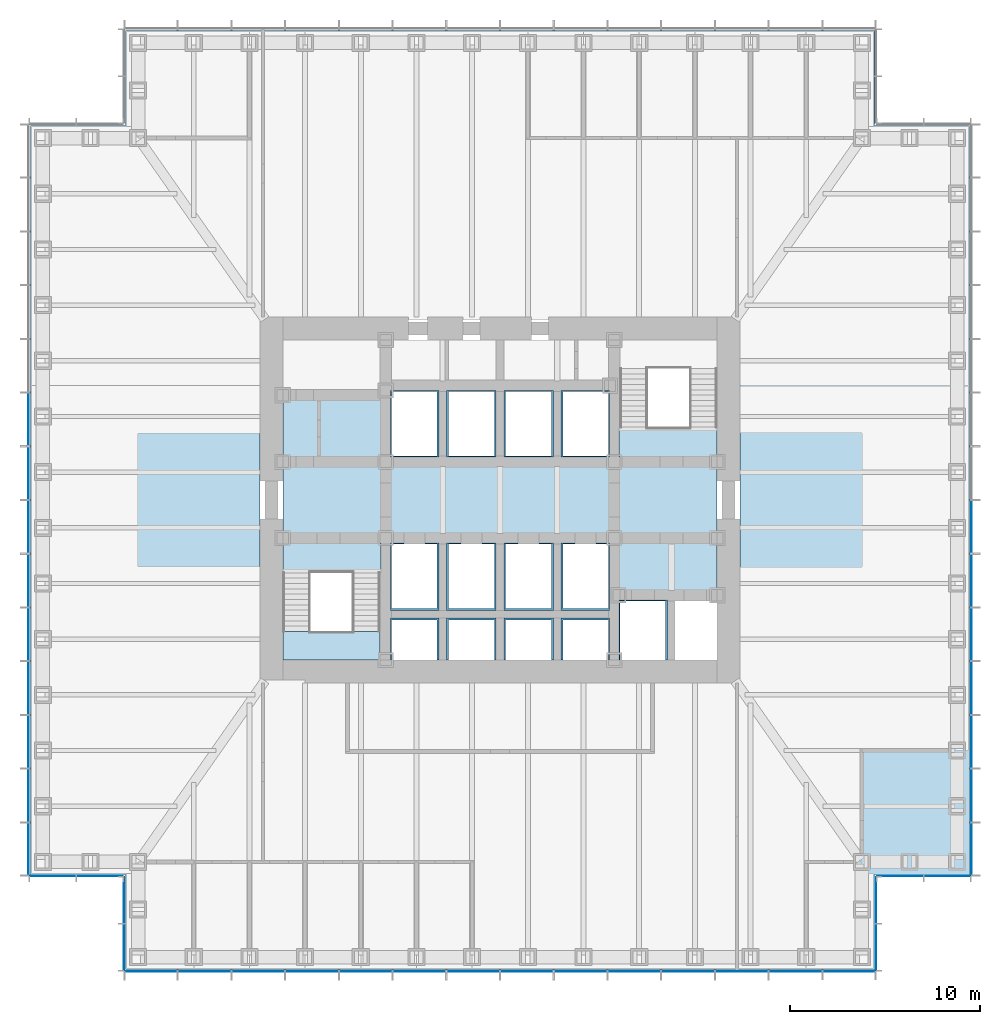
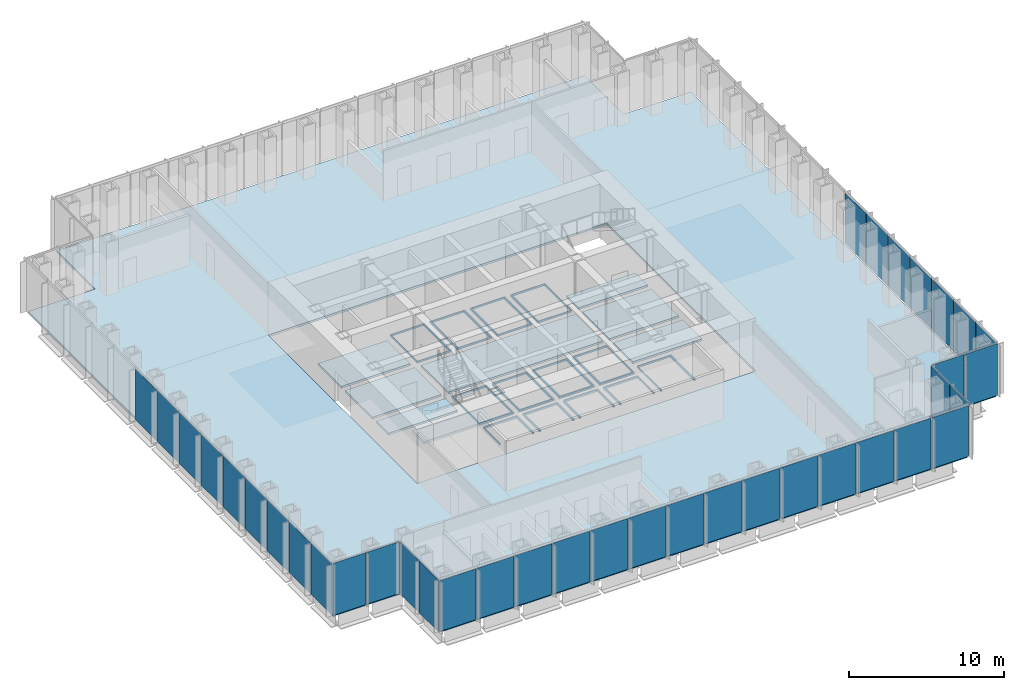
# One storey, part 7 of 17: 38 plates, 22 slabs, 8 elements without a shape of their own.
"""IFC4 building model written with IfcOpenShell, lengths in metres."""

from ifc_helpers import new_model, si_unit, direction, frame, origin, origin_2d, place, context, subcontext, project, spatial, polyline, rectangle, outline, extrude, material, layer, layer_set, type_object, element, aggregate, save


model = new_model("IFC4")

# Units and contexts
model_context = context("Model", 3, precision=1e-05, world=origin(), true_north=direction((0.0, 1.0)))
body_context = subcontext(model_context, "Body", "Model", "MODEL_VIEW")
ifc_project = project(units=[si_unit("LENGTHUNIT", "METRE"), si_unit("AREAUNIT", "SQUARE_METRE"), si_unit("VOLUMEUNIT", "CUBIC_METRE"), si_unit("PLANEANGLEUNIT", "RADIAN"), si_unit("MASSUNIT", "GRAM", prefix="KILO")], contexts=[model_context])

# Site, building, storey
site_placement = place(None, origin())
site = spatial("IfcSite", under=ifc_project, at=site_placement, CompositionType="ELEMENT")
building_placement = place(site_placement, origin())
building = spatial("IfcBuilding", under=site, at=building_placement, Name="Daluyong Arena Tower", CompositionType="ELEMENT")
storey_placement = place(building_placement, frame((0.0, 0.0, 97.89990234375)))
storey = spatial("IfcBuildingStorey", under=building, at=storey_placement, Name="L21", CompositionType="ELEMENT", Elevation=97.89990234375)

# Curtain wall, plates
ifc_material_1 = material(Name="Bronze anodised aluminium and glass", Category="aluminium")
curtain_wall_type_1 = type_object("IfcCurtainWallType", Name="Curtain wall CW1", PredefinedType="USERDEFINED", material=ifc_material_1)
curtain_wall_1_placement = place(storey_placement, origin())
curtain_wall_1 = element("IfcCurtainWall", 1, at=curtain_wall_1_placement, inside=storey, type_object=curtain_wall_type_1, Name="curtain wall L21 S", ObjectType="UNITISED CURTAIN WALL", PredefinedType="USERDEFINED")
ifc_material_2 = material(Name="Tinted double glazed unit", Category="glass")
ifc_layer_1 = layer(ifc_material_2, 0.031982421875)
ifc_layer_set_1 = layer_set([ifc_layer_1], Name="Tinted double glazed unit")
plate_type_1 = type_object("IfcPlateType", Name="CW1 panel 32", PredefinedType="CURTAIN_PANEL", material=ifc_layer_set_1)
plate_1_placement = place(storey_placement, frame((37.6806640625, 55.25, 0.0), z_axis=(0.0, 0.0, 1.0), x_axis=(1.0, 0.0, 0.0)))
plate_1 = element("IfcPlate", 2, at=plate_1_placement, type_object=plate_type_1, Name="curtain wall L21 S panel 1", PredefinedType="CURTAIN_PANEL", context=body_context, shape_type="SweptSolid", body=[
    extrude(rectangle(XDim=2.701416015625, YDim=0.031982421875, at=origin_2d()), origin(), (0.0, 0.0, 1.0), 4.0),
])
plate_2_placement = place(storey_placement, frame((40.482177734375, 55.25, 0.0), z_axis=(0.0, 0.0, 1.0), x_axis=(1.0, 0.0, 0.0)))
plate_2 = element("IfcPlate", 3, at=plate_2_placement, type_object=plate_type_1, Name="curtain wall L21 S panel 2", PredefinedType="CURTAIN_PANEL", context=body_context, shape_type="SweptSolid", body=[
    extrude(rectangle(XDim=2.741455078125, YDim=0.031982421875, at=origin_2d()), origin(), (0.0, 0.0, 1.0), 4.0),
])
plate_3_placement = place(storey_placement, frame((43.303466796875, 55.25, 0.0), z_axis=(0.0, 0.0, 1.0), x_axis=(1.0, 0.0, 0.0)))
plate_3 = element("IfcPlate", 4, at=plate_3_placement, type_object=plate_type_1, Name="curtain wall L21 S panel 3", PredefinedType="CURTAIN_PANEL", context=body_context, shape_type="SweptSolid", body=[
    extrude(rectangle(XDim=2.741455078125, YDim=0.031982421875, at=origin_2d()), origin(), (0.0, 0.0, 1.0), 4.0),
])
plate_4_placement = place(storey_placement, frame((46.125, 55.25, 0.0), z_axis=(0.0, 0.0, 1.0), x_axis=(1.0, 0.0, 0.0)))
plate_4 = element("IfcPlate", 5, at=plate_4_placement, type_object=plate_type_1, Name="curtain wall L21 S panel 4", PredefinedType="CURTAIN_PANEL", context=body_context, shape_type="SweptSolid", body=[
    extrude(rectangle(XDim=2.741455078125, YDim=0.031982421875, at=origin_2d()), origin(), (0.0, 0.0, 1.0), 4.0),
])
plate_5_placement = place(storey_placement, frame((48.946533203125, 55.25, 0.0), z_axis=(0.0, 0.0, 1.0), x_axis=(1.0, 0.0, 0.0)))
plate_5 = element("IfcPlate", 6, at=plate_5_placement, type_object=plate_type_1, Name="curtain wall L21 S panel 5", PredefinedType="CURTAIN_PANEL", context=body_context, shape_type="SweptSolid", body=[
    extrude(rectangle(XDim=2.741455078125, YDim=0.031982421875, at=origin_2d()), origin(), (0.0, 0.0, 1.0), 4.0),
])
plate_6_placement = place(storey_placement, frame((51.767822265625, 55.25, 0.0), z_axis=(0.0, 0.0, 1.0), x_axis=(1.0, 0.0, 0.0)))
plate_6 = element("IfcPlate", 7, at=plate_6_placement, type_object=plate_type_1, Name="curtain wall L21 S panel 6", PredefinedType="CURTAIN_PANEL", context=body_context, shape_type="SweptSolid", body=[
    extrude(rectangle(XDim=2.741455078125, YDim=0.031982421875, at=origin_2d()), origin(), (0.0, 0.0, 1.0), 4.0),
])
plate_7_placement = place(storey_placement, frame((54.58935546875, 55.25, 0.0), z_axis=(0.0, 0.0, 1.0), x_axis=(1.0, 0.0, 0.0)))
plate_7 = element("IfcPlate", 8, at=plate_7_placement, type_object=plate_type_1, Name="curtain wall L21 S panel 7", PredefinedType="CURTAIN_PANEL", context=body_context, shape_type="SweptSolid", body=[
    extrude(rectangle(XDim=2.741455078125, YDim=0.031982421875, at=origin_2d()), origin(), (0.0, 0.0, 1.0), 4.0),
])
plate_8_placement = place(storey_placement, frame((57.41064453125, 55.25, 0.0), z_axis=(0.0, 0.0, 1.0), x_axis=(1.0, 0.0, 0.0)))
plate_8 = element("IfcPlate", 9, at=plate_8_placement, type_object=plate_type_1, Name="curtain wall L21 S panel 8", PredefinedType="CURTAIN_PANEL", context=body_context, shape_type="SweptSolid", body=[
    extrude(rectangle(XDim=2.741455078125, YDim=0.031982421875, at=origin_2d()), origin(), (0.0, 0.0, 1.0), 4.0),
])
plate_9_placement = place(storey_placement, frame((60.232177734375, 55.25, 0.0), z_axis=(0.0, 0.0, 1.0), x_axis=(1.0, 0.0, 0.0)))
plate_9 = element("IfcPlate", 10, at=plate_9_placement, type_object=plate_type_1, Name="curtain wall L21 S panel 9", PredefinedType="CURTAIN_PANEL", context=body_context, shape_type="SweptSolid", body=[
    extrude(rectangle(XDim=2.741455078125, YDim=0.031982421875, at=origin_2d()), origin(), (0.0, 0.0, 1.0), 4.0),
])
plate_10_placement = place(storey_placement, frame((63.053466796875, 55.25, 0.0), z_axis=(0.0, 0.0, 1.0), x_axis=(1.0, 0.0, 0.0)))
plate_10 = element("IfcPlate", 11, at=plate_10_placement, type_object=plate_type_1, Name="curtain wall L21 S panel 10", PredefinedType="CURTAIN_PANEL", context=body_context, shape_type="SweptSolid", body=[
    extrude(rectangle(XDim=2.741455078125, YDim=0.031982421875, at=origin_2d()), origin(), (0.0, 0.0, 1.0), 4.0),
])
plate_11_placement = place(storey_placement, frame((65.875, 55.25, 0.0), z_axis=(0.0, 0.0, 1.0), x_axis=(1.0, 0.0, 0.0)))
plate_11 = element("IfcPlate", 12, at=plate_11_placement, type_object=plate_type_1, Name="curtain wall L21 S panel 11", PredefinedType="CURTAIN_PANEL", context=body_context, shape_type="SweptSolid", body=[
    extrude(rectangle(XDim=2.741455078125, YDim=0.031982421875, at=origin_2d()), origin(), (0.0, 0.0, 1.0), 4.0),
])
plate_12_placement = place(storey_placement, frame((68.696533203125, 55.25, 0.0), z_axis=(0.0, 0.0, 1.0), x_axis=(1.0, 0.0, 0.0)))
plate_12 = element("IfcPlate", 13, at=plate_12_placement, type_object=plate_type_1, Name="curtain wall L21 S panel 12", PredefinedType="CURTAIN_PANEL", context=body_context, shape_type="SweptSolid", body=[
    extrude(rectangle(XDim=2.741455078125, YDim=0.031982421875, at=origin_2d()), origin(), (0.0, 0.0, 1.0), 4.0),
])
plate_13_placement = place(storey_placement, frame((71.517822265625, 55.25, 0.0), z_axis=(0.0, 0.0, 1.0), x_axis=(1.0, 0.0, 0.0)))
plate_13 = element("IfcPlate", 14, at=plate_13_placement, type_object=plate_type_1, Name="curtain wall L21 S panel 13", PredefinedType="CURTAIN_PANEL", context=body_context, shape_type="SweptSolid", body=[
    extrude(rectangle(XDim=2.741455078125, YDim=0.031982421875, at=origin_2d()), origin(), (0.0, 0.0, 1.0), 4.0),
])
plate_14_placement = place(storey_placement, frame((74.3193359375, 55.25, 0.0), z_axis=(0.0, 0.0, 1.0), x_axis=(1.0, 0.0, 0.0)))
plate_14 = element("IfcPlate", 15, at=plate_14_placement, type_object=plate_type_1, Name="curtain wall L21 S panel 14", PredefinedType="CURTAIN_PANEL", context=body_context, shape_type="SweptSolid", body=[
    extrude(rectangle(XDim=2.701416015625, YDim=0.031982421875, at=origin_2d()), origin(), (0.0, 0.0, 1.0), 4.0),
])
aggregate(curtain_wall_1, [plate_1, plate_2, plate_3, plate_4, plate_5, plate_6, plate_7, plate_8, plate_9, plate_10, plate_11, plate_12, plate_13, plate_14])

curtain_wall_2_placement = place(storey_placement, origin())
curtain_wall_2 = element("IfcCurtainWall", 16, at=curtain_wall_2_placement, inside=storey, type_object=curtain_wall_type_1, Name="curtain wall L21 E", ObjectType="UNITISED CURTAIN WALL", PredefinedType="USERDEFINED")
plate_15_placement = place(storey_placement, frame((80.75, 61.6806640625, 0.0), z_axis=(0.0, 0.0, 1.0), x_axis=(0.0, 1.0, 0.0)))
plate_15 = element("IfcPlate", 17, at=plate_15_placement, type_object=plate_type_1, Name="curtain wall L21 E panel 1", PredefinedType="CURTAIN_PANEL", context=body_context, shape_type="SweptSolid", body=[
    extrude(rectangle(XDim=2.701416015625, YDim=0.031982421875, at=origin_2d()), origin(), (0.0, 0.0, 1.0), 4.0),
])
plate_16_placement = place(storey_placement, frame((80.75, 64.482177734375, 0.0), z_axis=(0.0, 0.0, 1.0), x_axis=(0.0, 1.0, 0.0)))
plate_16 = element("IfcPlate", 18, at=plate_16_placement, type_object=plate_type_1, Name="curtain wall L21 E panel 2", PredefinedType="CURTAIN_PANEL", context=body_context, shape_type="SweptSolid", body=[
    extrude(rectangle(XDim=2.741455078125, YDim=0.031982421875, at=origin_2d()), origin(), (0.0, 0.0, 1.0), 4.0),
])
plate_17_placement = place(storey_placement, frame((80.75, 67.303466796875, 0.0), z_axis=(0.0, 0.0, 1.0), x_axis=(0.0, 1.0, 0.0)))
plate_17 = element("IfcPlate", 19, at=plate_17_placement, type_object=plate_type_1, Name="curtain wall L21 E panel 3", PredefinedType="CURTAIN_PANEL", context=body_context, shape_type="SweptSolid", body=[
    extrude(rectangle(XDim=2.741455078125, YDim=0.031982421875, at=origin_2d()), origin(), (0.0, 0.0, 1.0), 4.0),
])
plate_18_placement = place(storey_placement, frame((80.75, 70.125, 0.0), z_axis=(0.0, 0.0, 1.0), x_axis=(0.0, 1.0, 0.0)))
plate_18 = element("IfcPlate", 20, at=plate_18_placement, type_object=plate_type_1, Name="curtain wall L21 E panel 4", PredefinedType="CURTAIN_PANEL", context=body_context, shape_type="SweptSolid", body=[
    extrude(rectangle(XDim=2.741455078125, YDim=0.031982421875, at=origin_2d()), origin(), (0.0, 0.0, 1.0), 4.0),
])
plate_19_placement = place(storey_placement, frame((80.75, 72.946533203125, 0.0), z_axis=(0.0, 0.0, 1.0), x_axis=(0.0, 1.0, 0.0)))
plate_19 = element("IfcPlate", 21, at=plate_19_placement, type_object=plate_type_1, Name="curtain wall L21 E panel 5", PredefinedType="CURTAIN_PANEL", context=body_context, shape_type="SweptSolid", body=[
    extrude(rectangle(XDim=2.741455078125, YDim=0.031982421875, at=origin_2d()), origin(), (0.0, 0.0, 1.0), 4.0),
])
plate_20_placement = place(storey_placement, frame((80.75, 75.767822265625, 0.0), z_axis=(0.0, 0.0, 1.0), x_axis=(0.0, 1.0, 0.0)))
plate_20 = element("IfcPlate", 22, at=plate_20_placement, type_object=plate_type_1, Name="curtain wall L21 E panel 6", PredefinedType="CURTAIN_PANEL", context=body_context, shape_type="SweptSolid", body=[
    extrude(rectangle(XDim=2.741455078125, YDim=0.031982421875, at=origin_2d()), origin(), (0.0, 0.0, 1.0), 4.0),
])
plate_21_placement = place(storey_placement, frame((80.75, 78.58935546875, 0.0), z_axis=(0.0, 0.0, 1.0), x_axis=(0.0, 1.0, 0.0)))
plate_21 = element("IfcPlate", 23, at=plate_21_placement, type_object=plate_type_1, Name="curtain wall L21 E panel 7", PredefinedType="CURTAIN_PANEL", context=body_context, shape_type="SweptSolid", body=[
    extrude(rectangle(XDim=2.741455078125, YDim=0.031982421875, at=origin_2d()), origin(), (0.0, 0.0, 1.0), 4.0),
])
aggregate(curtain_wall_2, [plate_15, plate_16, plate_17, plate_18, plate_19, plate_20, plate_21])

curtain_wall_3_placement = place(storey_placement, origin())
curtain_wall_3 = element("IfcCurtainWall", 24, at=curtain_wall_3_placement, inside=storey, type_object=curtain_wall_type_1, Name="curtain wall L21 W", ObjectType="UNITISED CURTAIN WALL", PredefinedType="USERDEFINED")
plate_22_placement = place(storey_placement, frame((31.25, 84.232177734375, 0.0), z_axis=(0.0, 0.0, 1.0), x_axis=(0.0, -1.0, 0.0)))
plate_22 = element("IfcPlate", 25, at=plate_22_placement, type_object=plate_type_1, Name="curtain wall L21 W panel 6", PredefinedType="CURTAIN_PANEL", context=body_context, shape_type="SweptSolid", body=[
    extrude(rectangle(XDim=2.741455078125, YDim=0.031982421875, at=origin_2d()), origin(), (0.0, 0.0, 1.0), 4.0),
])
plate_23_placement = place(storey_placement, frame((31.25, 81.41064453125, 0.0), z_axis=(0.0, 0.0, 1.0), x_axis=(0.0, -1.0, 0.0)))
plate_23 = element("IfcPlate", 26, at=plate_23_placement, type_object=plate_type_1, Name="curtain wall L21 W panel 7", PredefinedType="CURTAIN_PANEL", context=body_context, shape_type="SweptSolid", body=[
    extrude(rectangle(XDim=2.741455078125, YDim=0.031982421875, at=origin_2d()), origin(), (0.0, 0.0, 1.0), 4.0),
])
plate_24_placement = place(storey_placement, frame((31.25, 78.58935546875, 0.0), z_axis=(0.0, 0.0, 1.0), x_axis=(0.0, -1.0, 0.0)))
plate_24 = element("IfcPlate", 27, at=plate_24_placement, type_object=plate_type_1, Name="curtain wall L21 W panel 8", PredefinedType="CURTAIN_PANEL", context=body_context, shape_type="SweptSolid", body=[
    extrude(rectangle(XDim=2.741455078125, YDim=0.031982421875, at=origin_2d()), origin(), (0.0, 0.0, 1.0), 4.0),
])
plate_25_placement = place(storey_placement, frame((31.25, 75.767822265625, 0.0), z_axis=(0.0, 0.0, 1.0), x_axis=(0.0, -1.0, 0.0)))
plate_25 = element("IfcPlate", 28, at=plate_25_placement, type_object=plate_type_1, Name="curtain wall L21 W panel 9", PredefinedType="CURTAIN_PANEL", context=body_context, shape_type="SweptSolid", body=[
    extrude(rectangle(XDim=2.741455078125, YDim=0.031982421875, at=origin_2d()), origin(), (0.0, 0.0, 1.0), 4.0),
])
plate_26_placement = place(storey_placement, frame((31.25, 72.946533203125, 0.0), z_axis=(0.0, 0.0, 1.0), x_axis=(0.0, -1.0, 0.0)))
plate_26 = element("IfcPlate", 29, at=plate_26_placement, type_object=plate_type_1, Name="curtain wall L21 W panel 10", PredefinedType="CURTAIN_PANEL", context=body_context, shape_type="SweptSolid", body=[
    extrude(rectangle(XDim=2.741455078125, YDim=0.031982421875, at=origin_2d()), origin(), (0.0, 0.0, 1.0), 4.0),
])
plate_27_placement = place(storey_placement, frame((31.25, 70.125, 0.0), z_axis=(0.0, 0.0, 1.0), x_axis=(0.0, -1.0, 0.0)))
plate_27 = element("IfcPlate", 30, at=plate_27_placement, type_object=plate_type_1, Name="curtain wall L21 W panel 11", PredefinedType="CURTAIN_PANEL", context=body_context, shape_type="SweptSolid", body=[
    extrude(rectangle(XDim=2.741455078125, YDim=0.031982421875, at=origin_2d()), origin(), (0.0, 0.0, 1.0), 4.0),
])
plate_28_placement = place(storey_placement, frame((31.25, 67.303466796875, 0.0), z_axis=(0.0, 0.0, 1.0), x_axis=(0.0, -1.0, 0.0)))
plate_28 = element("IfcPlate", 31, at=plate_28_placement, type_object=plate_type_1, Name="curtain wall L21 W panel 12", PredefinedType="CURTAIN_PANEL", context=body_context, shape_type="SweptSolid", body=[
    extrude(rectangle(XDim=2.741455078125, YDim=0.031982421875, at=origin_2d()), origin(), (0.0, 0.0, 1.0), 4.0),
])
plate_29_placement = place(storey_placement, frame((31.25, 64.482177734375, 0.0), z_axis=(0.0, 0.0, 1.0), x_axis=(0.0, -1.0, 0.0)))
plate_29 = element("IfcPlate", 32, at=plate_29_placement, type_object=plate_type_1, Name="curtain wall L21 W panel 13", PredefinedType="CURTAIN_PANEL", context=body_context, shape_type="SweptSolid", body=[
    extrude(rectangle(XDim=2.741455078125, YDim=0.031982421875, at=origin_2d()), origin(), (0.0, 0.0, 1.0), 4.0),
])
plate_30_placement = place(storey_placement, frame((31.25, 61.6806640625, 0.0), z_axis=(0.0, 0.0, 1.0), x_axis=(0.0, -1.0, 0.0)))
plate_30 = element("IfcPlate", 33, at=plate_30_placement, type_object=plate_type_1, Name="curtain wall L21 W panel 14", PredefinedType="CURTAIN_PANEL", context=body_context, shape_type="SweptSolid", body=[
    extrude(rectangle(XDim=2.701416015625, YDim=0.031982421875, at=origin_2d()), origin(), (0.0, 0.0, 1.0), 4.0),
])
aggregate(curtain_wall_3, [plate_22, plate_23, plate_24, plate_25, plate_26, plate_27, plate_28, plate_29, plate_30])

ifc_material_3 = material(Name="Bronze anodised aluminium and glass", Category="aluminium")
curtain_wall_type_2 = type_object("IfcCurtainWallType", Name="Curtain wall CW7", PredefinedType="USERDEFINED", material=ifc_material_3)
curtain_wall_4_placement = place(storey_placement, origin())
curtain_wall_4 = element("IfcCurtainWall", 34, at=curtain_wall_4_placement, inside=storey, type_object=curtain_wall_type_2, Name="curtain wall L21 SE-E", ObjectType="UNITISED CURTAIN WALL", PredefinedType="USERDEFINED")
ifc_material_4 = material(Name="Tinted double glazed unit", Category="glass")
ifc_layer_2 = layer(ifc_material_4, 0.028076171875)
ifc_layer_set_2 = layer_set([ifc_layer_2], Name="Tinted double glazed unit")
plate_type_2 = type_object("IfcPlateType", Name="CW7 panel 28", PredefinedType="CURTAIN_PANEL", material=ifc_layer_set_2)
plate_31_placement = place(storey_placement, frame((75.75, 56.514892578125, 0.0), z_axis=(0.0, 0.0, 1.0), x_axis=(0.0, 1.0, 0.0)))
plate_31 = element("IfcPlate", 35, at=plate_31_placement, type_object=plate_type_2, Name="curtain wall L21 SE-E panel 1", PredefinedType="CURTAIN_PANEL", context=body_context, shape_type="SweptSolid", body=[
    extrude(rectangle(XDim=2.409912109375, YDim=0.028076171875, at=origin_2d()), origin(), (0.0, 0.0, 1.0), 4.080078125),
])
plate_32_placement = place(storey_placement, frame((75.75, 58.985107421875, 0.0), z_axis=(0.0, 0.0, 1.0), x_axis=(0.0, 1.0, 0.0)))
plate_32 = element("IfcPlate", 36, at=plate_32_placement, type_object=plate_type_2, Name="curtain wall L21 SE-E panel 2", PredefinedType="CURTAIN_PANEL", context=body_context, shape_type="SweptSolid", body=[
    extrude(rectangle(XDim=2.409912109375, YDim=0.028076171875, at=origin_2d()), origin(), (0.0, 0.0, 1.0), 4.080078125),
])
aggregate(curtain_wall_4, [plate_31, plate_32])

curtain_wall_5_placement = place(storey_placement, origin())
curtain_wall_5 = element("IfcCurtainWall", 37, at=curtain_wall_5_placement, inside=storey, type_object=curtain_wall_type_2, Name="curtain wall L21 SE-S", ObjectType="UNITISED CURTAIN WALL", PredefinedType="USERDEFINED")
plate_33_placement = place(storey_placement, frame((77.014892578125, 60.25, 0.0), z_axis=(0.0, 0.0, 1.0), x_axis=(1.0, 0.0, 0.0)))
plate_33 = element("IfcPlate", 38, at=plate_33_placement, type_object=plate_type_2, Name="curtain wall L21 SE-S panel 1", PredefinedType="CURTAIN_PANEL", context=body_context, shape_type="SweptSolid", body=[
    extrude(rectangle(XDim=2.409912109375, YDim=0.028076171875, at=origin_2d()), origin(), (0.0, 0.0, 1.0), 4.080078125),
])
plate_34_placement = place(storey_placement, frame((79.485107421875, 60.25, 0.0), z_axis=(0.0, 0.0, 1.0), x_axis=(1.0, 0.0, 0.0)))
plate_34 = element("IfcPlate", 39, at=plate_34_placement, type_object=plate_type_2, Name="curtain wall L21 SE-S panel 2", PredefinedType="CURTAIN_PANEL", context=body_context, shape_type="SweptSolid", body=[
    extrude(rectangle(XDim=2.409912109375, YDim=0.028076171875, at=origin_2d()), origin(), (0.0, 0.0, 1.0), 4.080078125),
])
aggregate(curtain_wall_5, [plate_33, plate_34])

curtain_wall_6_placement = place(storey_placement, origin())
curtain_wall_6 = element("IfcCurtainWall", 40, at=curtain_wall_6_placement, inside=storey, type_object=curtain_wall_type_2, Name="curtain wall L21 SW-S", ObjectType="UNITISED CURTAIN WALL", PredefinedType="USERDEFINED")
plate_35_placement = place(storey_placement, frame((32.514892578125, 60.25, 0.0), z_axis=(0.0, 0.0, 1.0), x_axis=(1.0, 0.0, 0.0)))
plate_35 = element("IfcPlate", 41, at=plate_35_placement, type_object=plate_type_2, Name="curtain wall L21 SW-S panel 1", PredefinedType="CURTAIN_PANEL", context=body_context, shape_type="SweptSolid", body=[
    extrude(rectangle(XDim=2.409912109375, YDim=0.028076171875, at=origin_2d()), origin(), (0.0, 0.0, 1.0), 4.080078125),
])
plate_36_placement = place(storey_placement, frame((34.985107421875, 60.25, 0.0), z_axis=(0.0, 0.0, 1.0), x_axis=(1.0, 0.0, 0.0)))
plate_36 = element("IfcPlate", 42, at=plate_36_placement, type_object=plate_type_2, Name="curtain wall L21 SW-S panel 2", PredefinedType="CURTAIN_PANEL", context=body_context, shape_type="SweptSolid", body=[
    extrude(rectangle(XDim=2.409912109375, YDim=0.028076171875, at=origin_2d()), origin(), (0.0, 0.0, 1.0), 4.080078125),
])
aggregate(curtain_wall_6, [plate_35, plate_36])

curtain_wall_7_placement = place(storey_placement, origin())
curtain_wall_7 = element("IfcCurtainWall", 43, at=curtain_wall_7_placement, inside=storey, type_object=curtain_wall_type_2, Name="curtain wall L21 SW-W", ObjectType="UNITISED CURTAIN WALL", PredefinedType="USERDEFINED")
plate_37_placement = place(storey_placement, frame((36.25, 58.985107421875, 0.0), z_axis=(0.0, 0.0, 1.0), x_axis=(0.0, -1.0, 0.0)))
plate_37 = element("IfcPlate", 44, at=plate_37_placement, type_object=plate_type_2, Name="curtain wall L21 SW-W panel 1", PredefinedType="CURTAIN_PANEL", context=body_context, shape_type="SweptSolid", body=[
    extrude(rectangle(XDim=2.409912109375, YDim=0.028076171875, at=origin_2d()), origin(), (0.0, 0.0, 1.0), 4.080078125),
])
plate_38_placement = place(storey_placement, frame((36.25, 56.514892578125, 0.0), z_axis=(0.0, 0.0, 1.0), x_axis=(0.0, -1.0, 0.0)))
plate_38 = element("IfcPlate", 45, at=plate_38_placement, type_object=plate_type_2, Name="curtain wall L21 SW-W panel 2", PredefinedType="CURTAIN_PANEL", context=body_context, shape_type="SweptSolid", body=[
    extrude(rectangle(XDim=2.409912109375, YDim=0.028076171875, at=origin_2d()), origin(), (0.0, 0.0, 1.0), 4.080078125),
])
aggregate(curtain_wall_7, [plate_37, plate_38])

# Stair, slab
ifc_material_5 = material(Name="Concrete fc' 35 MPa", Category="concrete")
stair_type = type_object("IfcStairType", Name="Core exit stair", PredefinedType="HALF_TURN_STAIR", material=ifc_material_5)
stair_placement = place(storey_placement, origin())
stair = element("IfcStair", 46, at=stair_placement, inside=storey, type_object=stair_type, Name="exit stair A L21", PredefinedType="HALF_TURN_STAIR")
ifc_material_6 = material(Name="Concrete fc' 35 MPa", Category="concrete")
ifc_layer_3 = layer(ifc_material_6, 0.199951171875)
ifc_layer_set_3 = layer_set([ifc_layer_3], Name="Concrete fc' 35 MPa")
slab_type_1 = type_object("IfcSlabType", Name="Stair landing 200", PredefinedType="LANDING", material=ifc_layer_set_3)
slab_1_placement = place(storey_placement, frame((0.0, 0.0, 1.900146484375)))
slab_1 = element("IfcSlab", 47, at=slab_1_placement, type_object=slab_type_1, Name="STA landing 1", PredefinedType="LANDING", context=body_context, shape_type="SweptSolid", body=[
    extrude(outline(polyline([(44.60009765625, 71.60009765625), (49.699951171875, 71.60009765625), (49.699951171875, 73.094970703125), (44.60009765625, 73.094970703125), (44.60009765625, 71.60009765625)])), origin(), (0.0, 0.0, 1.0), 0.199951171875),
])
aggregate(stair, [slab_1])

# Slabs
ifc_material_7 = material(Name="Concrete fc' 35 MPa", Category="concrete")
ifc_layer_4 = layer(ifc_material_7, 0.159912109375)
ifc_layer_set_4 = layer_set([ifc_layer_4], Name="Concrete fc' 35 MPa")
slab_type_2 = type_object("IfcSlabType", Name="Tower floor slab 160", PredefinedType="FLOOR", material=ifc_layer_set_4)
slab_2_placement = place(storey_placement, frame((0.0, 0.0, -0.159912109375)))
element("IfcSlab", 48, at=slab_2_placement, inside=storey, type_object=slab_type_2, Name="floor L21 part 1", PredefinedType="FLOOR", context=body_context, shape_type="SweptSolid", body=[
    extrude(outline(polyline([(49.75, 76.175048828125), (49.75, 77.75), (44.60009765625, 77.75), (44.60009765625, 76.175048828125), (49.75, 76.175048828125)])), origin(), (0.0, 0.0, 1.0), 0.159912109375),
])
slab_3_placement = place(storey_placement, frame((0.0, 0.0, -0.159912109375)))
element("IfcSlab", 49, at=slab_3_placement, inside=storey, type_object=slab_type_2, Name="floor L21 part 2", PredefinedType="FLOOR", context=body_context, shape_type="SweptSolid", body=[
    extrude(outline(polyline([(49.75, 78.25), (49.75, 81.75), (44.60009765625, 81.75), (44.60009765625, 78.25), (49.75, 78.25)])), origin(), (0.0, 0.0, 1.0), 0.159912109375),
])
slab_4_placement = place(storey_placement, frame((0.0, 0.0, -0.159912109375)))
element("IfcSlab", 50, at=slab_4_placement, inside=storey, type_object=slab_type_2, Name="floor L21 part 3", PredefinedType="FLOOR", context=body_context, shape_type="SweptSolid", body=[
    extrude(outline(polyline([(49.75, 82.25), (49.75, 85.25), (44.60009765625, 85.25), (44.60009765625, 82.25), (49.75, 82.25)])), origin(), (0.0, 0.0, 1.0), 0.159912109375),
])
slab_5_placement = place(storey_placement, frame((0.0, 0.0, -0.159912109375)))
element("IfcSlab", 51, at=slab_5_placement, inside=storey, type_object=slab_type_2, Name="floor L21 part 5", PredefinedType="FLOOR", context=body_context, shape_type="SweptSolid", body=[
    extrude(outline(polyline([(52.699951171875, 73.699951171875), (52.699951171875, 71.60009765625), (52.800048828125, 71.60009765625), (52.800048828125, 73.800048828125), (50.25, 73.800048828125), (50.25, 71.60009765625), (50.300048828125, 71.60009765625), (50.300048828125, 73.699951171875), (52.699951171875, 73.699951171875)])), origin(), (0.0, 0.0, 1.0), 0.159912109375),
])
slab_6_placement = place(storey_placement, frame((0.0, 0.0, -0.159912109375)))
element("IfcSlab", 52, at=slab_6_placement, inside=storey, type_object=slab_type_2, Name="floor L21 part 6", PredefinedType="FLOOR", context=body_context, shape_type="SweptSolid", body=[
    extrude(outline(polyline([(50.25, 77.75), (50.25, 74.199951171875), (52.800048828125, 74.199951171875), (52.800048828125, 77.75), (50.25, 77.75)]), holes=[polyline([(52.699951171875, 77.699951171875), (52.699951171875, 74.300048828125), (50.300048828125, 74.300048828125), (50.300048828125, 77.699951171875), (52.699951171875, 77.699951171875)])]), origin(), (0.0, 0.0, 1.0), 0.159912109375),
])
slab_7_placement = place(storey_placement, frame((0.0, 0.0, -0.159912109375)))
element("IfcSlab", 53, at=slab_7_placement, inside=storey, type_object=slab_type_2, Name="floor L21 part 7", PredefinedType="FLOOR", context=body_context, shape_type="SweptSolid", body=[
    extrude(outline(polyline([(50.25, 85.75), (50.25, 82.25), (52.800048828125, 82.25), (52.800048828125, 85.75), (50.25, 85.75)]), holes=[polyline([(52.699951171875, 85.699951171875), (52.699951171875, 82.300048828125), (50.300048828125, 82.300048828125), (50.300048828125, 85.699951171875), (52.699951171875, 85.699951171875)])]), origin(), (0.0, 0.0, 1.0), 0.159912109375),
])
slab_8_placement = place(storey_placement, frame((0.0, 0.0, -0.159912109375)))
element("IfcSlab", 54, at=slab_8_placement, inside=storey, type_object=slab_type_2, Name="floor L21 part 9", PredefinedType="FLOOR", context=body_context, shape_type="SweptSolid", body=[
    extrude(outline(polyline([(55.699951171875, 73.699951171875), (55.699951171875, 71.60009765625), (55.800048828125, 71.60009765625), (55.800048828125, 73.800048828125), (53.199951171875, 73.800048828125), (53.199951171875, 71.60009765625), (53.300048828125, 71.60009765625), (53.300048828125, 73.699951171875), (55.699951171875, 73.699951171875)])), origin(), (0.0, 0.0, 1.0), 0.159912109375),
])
slab_9_placement = place(storey_placement, frame((0.0, 0.0, -0.159912109375)))
element("IfcSlab", 55, at=slab_9_placement, inside=storey, type_object=slab_type_2, Name="floor L21 part 10", PredefinedType="FLOOR", context=body_context, shape_type="SweptSolid", body=[
    extrude(outline(polyline([(53.199951171875, 77.75), (53.199951171875, 74.199951171875), (55.800048828125, 74.199951171875), (55.800048828125, 77.75), (53.199951171875, 77.75)]), holes=[polyline([(55.699951171875, 77.699951171875), (55.699951171875, 74.300048828125), (53.300048828125, 74.300048828125), (53.300048828125, 77.699951171875), (55.699951171875, 77.699951171875)])]), origin(), (0.0, 0.0, 1.0), 0.159912109375),
])
slab_10_placement = place(storey_placement, frame((0.0, 0.0, -0.159912109375)))
element("IfcSlab", 56, at=slab_10_placement, inside=storey, type_object=slab_type_2, Name="floor L21 part 11", PredefinedType="FLOOR", context=body_context, shape_type="SweptSolid", body=[
    extrude(outline(polyline([(53.199951171875, 85.75), (53.199951171875, 82.25), (55.800048828125, 82.25), (55.800048828125, 85.75), (53.199951171875, 85.75)]), holes=[polyline([(55.699951171875, 85.699951171875), (55.699951171875, 82.300048828125), (53.300048828125, 82.300048828125), (53.300048828125, 85.699951171875), (55.699951171875, 85.699951171875)])]), origin(), (0.0, 0.0, 1.0), 0.159912109375),
])
slab_11_placement = place(storey_placement, frame((0.0, 0.0, -0.159912109375)))
element("IfcSlab", 57, at=slab_11_placement, inside=storey, type_object=slab_type_2, Name="floor L21 part 12", PredefinedType="FLOOR", context=body_context, shape_type="SweptSolid", body=[
    extrude(outline(polyline([(36.35009765625, 60.35009765625), (36.35009765625, 55.35009765625), (75.64990234375, 55.35009765625), (75.64990234375, 60.35009765625), (80.64990234375, 60.35009765625), (80.64990234375, 99.64990234375), (75.64990234375, 99.64990234375), (75.64990234375, 104.64990234375), (36.35009765625, 104.64990234375), (36.35009765625, 99.64990234375), (31.35009765625, 99.64990234375), (31.35009765625, 60.35009765625), (36.35009765625, 60.35009765625)]), holes=[polyline([(68.60009765625, 89.60009765625), (68.60009765625, 70.39990234375), (43.39990234375, 70.39990234375), (43.39990234375, 89.60009765625), (68.60009765625, 89.60009765625)])]), origin(), (0.0, 0.0, 1.0), 0.159912109375),
])
slab_12_placement = place(storey_placement, frame((0.0, 0.0, -0.159912109375)))
element("IfcSlab", 58, at=slab_12_placement, inside=storey, type_object=slab_type_2, Name="floor L21 part 13", PredefinedType="FLOOR", context=body_context, shape_type="SweptSolid", body=[
    extrude(outline(polyline([(61.75, 81.75), (50.25, 81.75), (50.25, 78.25), (61.75, 78.25), (61.75, 81.75)])), origin(), (0.0, 0.0, 1.0), 0.159912109375),
])
slab_13_placement = place(storey_placement, frame((0.0, 0.0, -0.159912109375)))
element("IfcSlab", 59, at=slab_13_placement, inside=storey, type_object=slab_type_2, Name="floor L21 part 14", PredefinedType="FLOOR", context=body_context, shape_type="SweptSolid", body=[
    extrude(outline(polyline([(58.699951171875, 73.699951171875), (58.699951171875, 71.60009765625), (58.800048828125, 71.60009765625), (58.800048828125, 73.800048828125), (56.199951171875, 73.800048828125), (56.199951171875, 71.60009765625), (56.300048828125, 71.60009765625), (56.300048828125, 73.699951171875), (58.699951171875, 73.699951171875)])), origin(), (0.0, 0.0, 1.0), 0.159912109375),
])
slab_14_placement = place(storey_placement, frame((0.0, 0.0, -0.159912109375)))
element("IfcSlab", 60, at=slab_14_placement, inside=storey, type_object=slab_type_2, Name="floor L21 part 15", PredefinedType="FLOOR", context=body_context, shape_type="SweptSolid", body=[
    extrude(outline(polyline([(56.199951171875, 77.75), (56.199951171875, 74.199951171875), (58.800048828125, 74.199951171875), (58.800048828125, 77.75), (56.199951171875, 77.75)]), holes=[polyline([(58.699951171875, 77.699951171875), (58.699951171875, 74.300048828125), (56.300048828125, 74.300048828125), (56.300048828125, 77.699951171875), (58.699951171875, 77.699951171875)])]), origin(), (0.0, 0.0, 1.0), 0.159912109375),
])
slab_15_placement = place(storey_placement, frame((0.0, 0.0, -0.159912109375)))
element("IfcSlab", 61, at=slab_15_placement, inside=storey, type_object=slab_type_2, Name="floor L21 part 16", PredefinedType="FLOOR", context=body_context, shape_type="SweptSolid", body=[
    extrude(outline(polyline([(56.199951171875, 85.75), (56.199951171875, 82.25), (58.800048828125, 82.25), (58.800048828125, 85.75), (56.199951171875, 85.75)]), holes=[polyline([(58.699951171875, 85.699951171875), (58.699951171875, 82.300048828125), (56.300048828125, 82.300048828125), (56.300048828125, 85.699951171875), (58.699951171875, 85.699951171875)])]), origin(), (0.0, 0.0, 1.0), 0.159912109375),
])
slab_16_placement = place(storey_placement, frame((0.0, 0.0, -0.159912109375)))
element("IfcSlab", 62, at=slab_16_placement, inside=storey, type_object=slab_type_2, Name="floor L21 part 18", PredefinedType="FLOOR", context=body_context, shape_type="SweptSolid", body=[
    extrude(outline(polyline([(59.199951171875, 82.25), (61.75, 82.25), (61.75, 85.75), (59.199951171875, 85.75), (59.199951171875, 82.25)]), holes=[polyline([(61.699951171875, 82.300048828125), (59.300048828125, 82.300048828125), (59.300048828125, 85.699951171875), (61.699951171875, 85.699951171875), (61.699951171875, 82.300048828125)])]), origin(), (0.0, 0.0, 1.0), 0.159912109375),
])
slab_17_placement = place(storey_placement, frame((0.0, 0.0, -0.159912109375)))
element("IfcSlab", 63, at=slab_17_placement, inside=storey, type_object=slab_type_2, Name="floor L21 part 19", PredefinedType="FLOOR", context=body_context, shape_type="SweptSolid", body=[
    extrude(outline(polyline([(61.75, 73.800048828125), (59.199951171875, 73.800048828125), (59.199951171875, 71.60009765625), (59.300048828125, 71.60009765625), (59.300048828125, 73.699951171875), (61.699951171875, 73.699951171875), (61.699951171875, 71.60009765625), (61.75, 71.60009765625), (61.75, 73.800048828125)])), origin(), (0.0, 0.0, 1.0), 0.159912109375),
])
slab_18_placement = place(storey_placement, frame((0.0, 0.0, -0.159912109375)))
element("IfcSlab", 64, at=slab_18_placement, inside=storey, type_object=slab_type_2, Name="floor L21 part 20", PredefinedType="FLOOR", context=body_context, shape_type="SweptSolid", body=[
    extrude(outline(polyline([(59.199951171875, 74.199951171875), (61.75, 74.199951171875), (61.75, 77.75), (59.199951171875, 77.75), (59.199951171875, 74.199951171875)]), holes=[polyline([(61.699951171875, 77.699951171875), (61.699951171875, 74.300048828125), (59.300048828125, 74.300048828125), (59.300048828125, 77.699951171875), (61.699951171875, 77.699951171875)])]), origin(), (0.0, 0.0, 1.0), 0.159912109375),
])
slab_19_placement = place(storey_placement, frame((0.0, 0.0, -0.159912109375)))
element("IfcSlab", 65, at=slab_19_placement, inside=storey, type_object=slab_type_2, Name="floor L21 part 21", PredefinedType="FLOOR", context=body_context, shape_type="SweptSolid", body=[
    extrude(outline(polyline([(64.800048828125, 71.60009765625), (64.800048828125, 74.75), (62.25, 74.75), (62.25, 71.60009765625), (62.300048828125, 71.60009765625), (62.300048828125, 74.699951171875), (64.699951171875, 74.699951171875), (64.699951171875, 71.60009765625), (64.800048828125, 71.60009765625)])), origin(), (0.0, 0.0, 1.0), 0.159912109375),
])
slab_20_placement = place(storey_placement, frame((0.0, 0.0, -0.159912109375)))
element("IfcSlab", 66, at=slab_20_placement, inside=storey, type_object=slab_type_2, Name="floor L21 part 22", PredefinedType="FLOOR", context=body_context, shape_type="SweptSolid", body=[
    extrude(outline(polyline([(67.39990234375, 82.25), (67.39990234375, 83.824951171875), (62.25, 83.824951171875), (62.25, 82.25), (67.39990234375, 82.25)])), origin(), (0.0, 0.0, 1.0), 0.159912109375),
])
slab_21_placement = place(storey_placement, frame((0.0, 0.0, -0.159912109375)))
element("IfcSlab", 67, at=slab_21_placement, inside=storey, type_object=slab_type_2, Name="floor L21 part 23", PredefinedType="FLOOR", context=body_context, shape_type="SweptSolid", body=[
    extrude(outline(polyline([(67.39990234375, 75.25), (67.39990234375, 77.75), (62.25, 77.75), (62.25, 75.25), (67.39990234375, 75.25)])), origin(), (0.0, 0.0, 1.0), 0.159912109375),
])
slab_22_placement = place(storey_placement, frame((0.0, 0.0, -0.159912109375)))
element("IfcSlab", 68, at=slab_22_placement, inside=storey, type_object=slab_type_2, Name="floor L21 part 24", PredefinedType="FLOOR", context=body_context, shape_type="SweptSolid", body=[
    extrude(outline(polyline([(67.39990234375, 78.25), (67.39990234375, 81.75), (62.25, 81.75), (62.25, 78.25), (67.39990234375, 78.25)])), origin(), (0.0, 0.0, 1.0), 0.159912109375),
])

save(model, "model.ifc")
